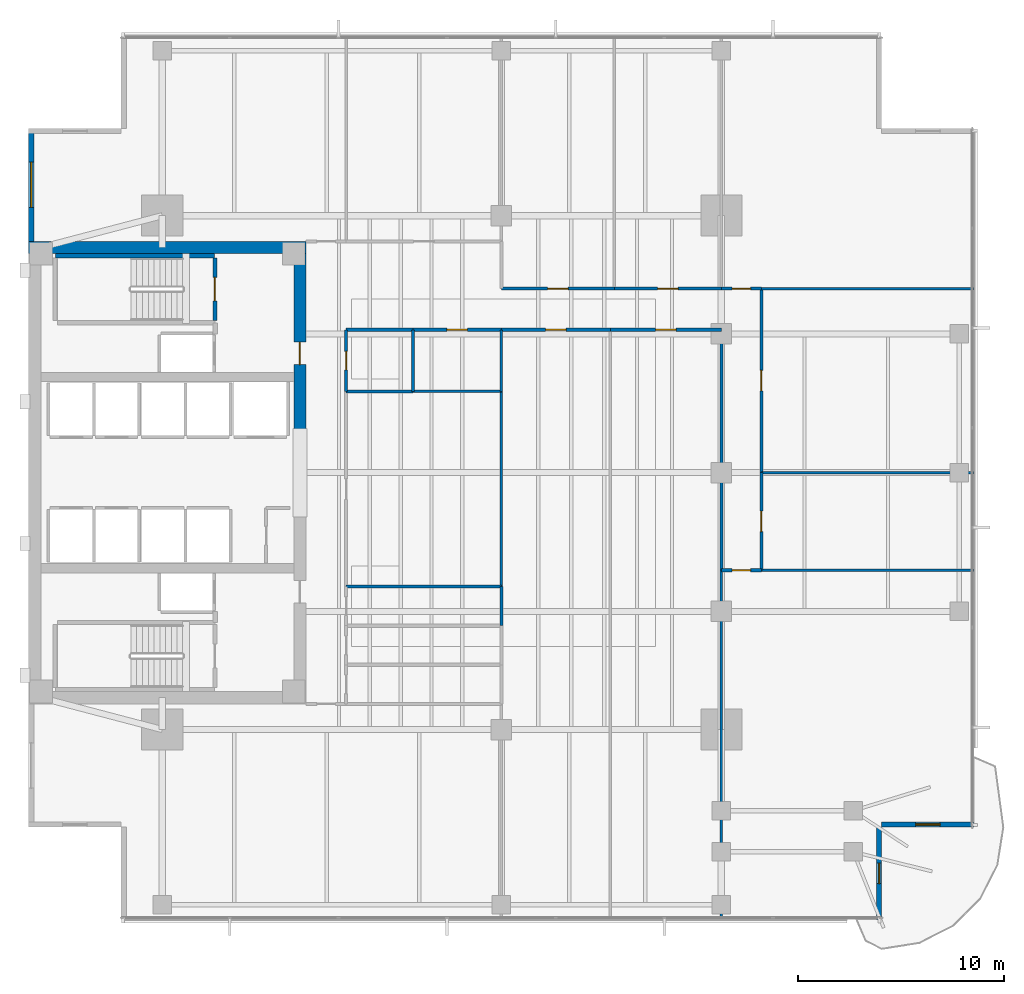
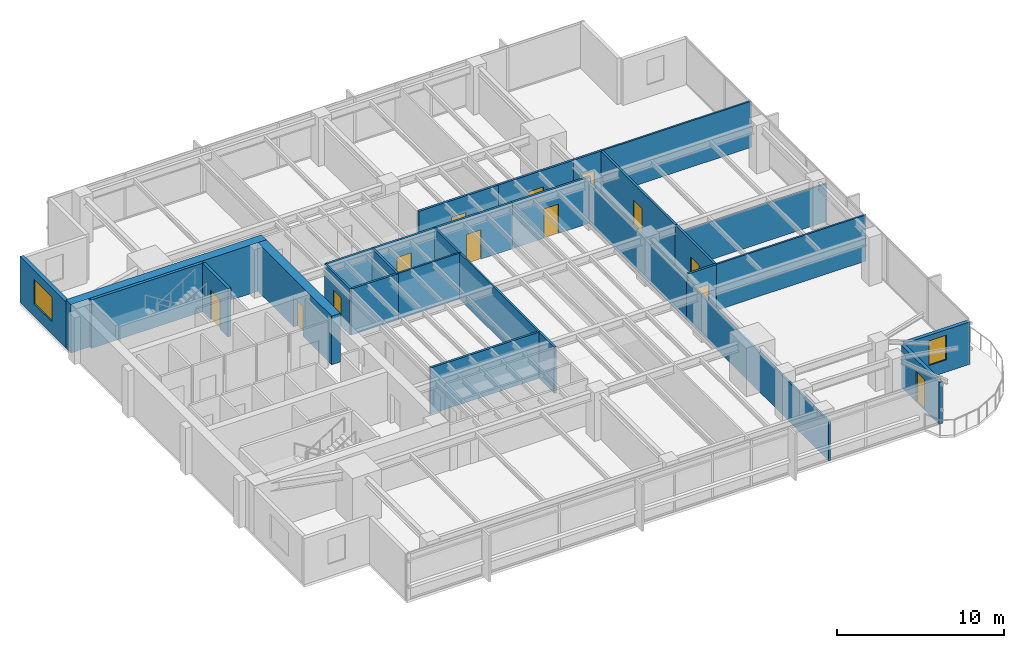
# One storey, part 9 of 14: 30 walls, 13 doors, 2 windows, 15 openings.
"""IFC4 building model written with IfcOpenShell, lengths in metres."""

from ifc_helpers import new_model, si_unit, direction, frame, frame_2d, origin, place, context, subcontext, project, spatial, rectangle, extrude, material, layer, layer_set, type_object, element, fill, save


model = new_model("IFC4")

# Units and contexts
model_context = context("Model", 3, precision=1e-05, world=origin(), true_north=direction((0.0, 1.0)))
body_context = subcontext(model_context, "Body", "Model", "MODEL_VIEW")
ifc_project = project(units=[si_unit("LENGTHUNIT", "METRE"), si_unit("AREAUNIT", "SQUARE_METRE"), si_unit("VOLUMEUNIT", "CUBIC_METRE"), si_unit("PLANEANGLEUNIT", "RADIAN"), si_unit("MASSUNIT", "GRAM", prefix="KILO")], contexts=[model_context])

# Site, building, storey
site_placement = place(None, origin())
site = spatial("IfcSite", under=ifc_project, at=site_placement, CompositionType="ELEMENT")
building_placement = place(site_placement, origin())
building = spatial("IfcBuilding", under=site, at=building_placement, Name="Kinhvarn Gate Tower", CompositionType="ELEMENT")
storey_placement = place(building_placement, frame((0.0, 0.0, 120.0)))
storey = spatial("IfcBuildingStorey", under=building, at=storey_placement, Name="L31", CompositionType="ELEMENT", Elevation=120.0)

# Wall
ifc_material_1 = material(Name="Concrete C60/75", Category="concrete")
ifc_layer_1 = layer(ifc_material_1, 0.60009765625)
ifc_layer_set_1 = layer_set([ifc_layer_1], Name="Concrete C60/75")
wall_type_1 = type_object("IfcWallType", Name="WL-CORE-600", PredefinedType="SHEAR", material=ifc_layer_set_1)
wall_1_placement = place(storey_placement, frame((4.5, 36.199951171875, 0.0), z_axis=(0.0, 0.0, 1.0), x_axis=(1.0, 0.0, 0.0)))
element("IfcWall", 1, at=wall_1_placement, inside=storey, type_object=wall_type_1, Name="Core North Shear Wall L31 600 mm", PredefinedType="SHEAR", context=body_context, shape_type="SweptSolid", body=[
    extrude(rectangle(XDim=13.5, YDim=0.60009765625, at=frame_2d((6.75, 0.0))), origin(), (0.0, 0.0, 1.0), 3.550048828125),
])

# Wall, opening, door
wall_2_placement = place(storey_placement, frame((17.699951171875, 27.050048828125, 0.0), z_axis=(0.0, 0.0, 1.0), x_axis=(0.0, 1.0, 0.0)))
wall_2 = element("IfcWall", 2, at=wall_2_placement, inside=storey, type_object=wall_type_1, Name="Core East-North Shear Pier L31 600 mm", PredefinedType="SHEAR", context=body_context, shape_type="SweptSolid", body=[
    extrude(rectangle(XDim=8.849853515625, YDim=0.60009765625, at=frame_2d((4.4248046875, 0.0))), origin(), (0.0, 0.0, 1.0), 3.550048828125),
])
opening_1_placement = place(wall_2_placement, frame((3.449951171875, 0.0, 0.0)))
opening_1 = element("IfcOpeningElement", 3, at=opening_1_placement, cuts=wall_2, Name="Opening FD-02", PredefinedType="OPENING", context=body_context, shape_type="SweptSolid", body=[
    extrude(rectangle(XDim=1.10009765625, YDim=2.14990234375, at=frame_2d((0.550048828125, 1.074951171875))), frame((0.0, 0.31005859375, 0.0), z_axis=(0.0, -1.0, 0.0), x_axis=(1.0, 0.0, 0.0)), (0.0, 0.0, 1.0), 0.6201171875),
])
ifc_material_2 = material(Name="Anodised aluminium AW-6063", Category="aluminium")
door_type_1 = type_object("IfcDoorType", Name="DR-FD-1100", OperationType="NOTDEFINED", PredefinedType="DOOR", material=ifc_material_2)
door_1_placement = place(opening_1_placement, origin())
door_1 = element("IfcDoor", 4, at=door_1_placement, inside=storey, type_object=door_type_1, Name="Firefighting Lobby Core Door (L31)", OperationType="SINGLE_SWING_LEFT", OverallHeight=2.14990234375, OverallWidth=1.10009765625, PredefinedType="DOOR", context=body_context, shape_type="SweptSolid", body=[
    extrude(rectangle(XDim=1.10009765625, YDim=2.14990234375, at=frame_2d((0.550048828125, 1.074951171875))), frame((0.0, 0.02490234375, 0.0), z_axis=(0.0, -1.0, 0.0), x_axis=(1.0, 0.0, 0.0)), (0.0, 0.0, 1.0), 0.050048828125),
])
fill(opening_1, door_1)

# Wall, opening, window
ifc_material_3 = material(Name="Fired architectural terracotta", Category="masonry")
ifc_layer_2 = layer(ifc_material_3, 0.25)
ifc_layer_set_2 = layer_set([ifc_layer_2], Name="Fired architectural terracotta")
wall_type_2 = type_object("IfcWallType", Name="WL-EXT-250", PredefinedType="SOLIDWALL", material=ifc_layer_set_2)
wall_3_placement = place(storey_placement, frame((4.625, 42.0, 0.0), z_axis=(0.0, 0.0, 1.0), x_axis=(0.0, -1.0, 0.0)))
wall_3 = element("IfcWall", 5, at=wall_3_placement, inside=storey, type_object=wall_type_2, Name="Exterior Solidwall Wall EW-250 (L31 West-North)", PredefinedType="SOLIDWALL", context=body_context, shape_type="SweptSolid", body=[
    extrude(rectangle(XDim=5.5, YDim=0.25, at=frame_2d((2.75, 0.0))), origin(), (0.0, 0.0, 1.0), 3.3701171875),
])
opening_2_placement = place(wall_3_placement, frame((1.64990234375, 0.0, 0.89990234375)))
opening_2 = element("IfcOpeningElement", 6, at=opening_2_placement, cuts=wall_3, Name="Opening WN-01", PredefinedType="OPENING", context=body_context, shape_type="SweptSolid", body=[
    extrude(rectangle(XDim=2.199951171875, YDim=1.800048828125, at=frame_2d((1.10009765625, 0.89990234375))), frame((0.0, 0.135009765625, 0.0), z_axis=(0.0, -1.0, 0.0), x_axis=(1.0, 0.0, 0.0)), (0.0, 0.0, 1.0), 0.27001953125),
])
ifc_material_4 = material(Name="Clear low-e double glazing", Category="glass")
window_type_1 = type_object("IfcWindowType", Name="WIN-RIB-2200", PartitioningType="SINGLE_PANEL", PredefinedType="WINDOW", material=ifc_material_4)
window_1_placement = place(opening_2_placement, origin())
window_1 = element("IfcWindow", 7, at=window_1_placement, inside=storey, type_object=window_type_1, Name="West Flank Double-Glazed Ribbon Window 2200x1800 mm (L31)", OverallHeight=1.800048828125, OverallWidth=2.199951171875, PartitioningType="SINGLE_PANEL", PredefinedType="WINDOW", context=body_context, shape_type="SweptSolid", body=[
    extrude(rectangle(XDim=2.199951171875, YDim=1.800048828125, at=frame_2d((1.10009765625, 0.89990234375))), frame((0.0, 0.030029296875, 0.0), z_axis=(0.0, -1.0, 0.0), x_axis=(1.0, 0.0, 0.0)), (0.0, 0.0, 1.0), 0.06005859375),
])
fill(opening_2, window_1)

# Wall, opening, door
wall_4_placement = place(storey_placement, frame((45.875, 3.5, 0.0), z_axis=(0.0, 0.0, 1.0), x_axis=(0.0, 1.0, 0.0)))
wall_4 = element("IfcWall", 8, at=wall_4_placement, inside=storey, type_object=wall_type_2, Name="Exterior Solidwall Wall EW-250 (L31 SE-Notch-Door)", PredefinedType="SOLIDWALL", context=body_context, shape_type="SweptSolid", body=[
    extrude(rectangle(XDim=4.5, YDim=0.25, at=frame_2d((2.25, 0.0))), origin(), (0.0, 0.0, 1.0), 3.070068359375),
])
opening_3_placement = place(wall_4_placement, frame((1.75, 0.0, 0.0)))
opening_3 = element("IfcOpeningElement", 9, at=opening_3_placement, cuts=wall_4, Name="Opening BD-01", PredefinedType="OPENING", context=body_context, shape_type="SweptSolid", body=[
    extrude(rectangle(XDim=1.0, YDim=2.199951171875, at=frame_2d((0.5, 1.10009765625))), frame((0.0, 0.135009765625, 0.0), z_axis=(0.0, -1.0, 0.0), x_axis=(1.0, 0.0, 0.0)), (0.0, 0.0, 1.0), 0.27001953125),
])
door_type_2 = type_object("IfcDoorType", Name="DR-BAL-1000", OperationType="NOTDEFINED", PredefinedType="DOOR", material=ifc_material_4)
door_2_placement = place(opening_3_placement, frame((1.0, 0.0, 0.0), z_axis=(0.0, 0.0, 1.0), x_axis=(-1.0, 0.0, 0.0)))
door_2 = element("IfcDoor", 10, at=door_2_placement, inside=storey, type_object=door_type_2, Name="S-Carve Balcony Door BD-01 (L31)", OperationType="SINGLE_SWING_LEFT", OverallHeight=2.199951171875, OverallWidth=1.0, PredefinedType="DOOR", context=body_context, shape_type="SweptSolid", body=[
    extrude(rectangle(XDim=1.0, YDim=2.199951171875, at=frame_2d((0.5, 1.10009765625))), frame((0.0, 0.02490234375, 0.0), z_axis=(0.0, -1.0, 0.0), x_axis=(1.0, 0.0, 0.0)), (0.0, 0.0, 1.0), 0.050048828125),
])
fill(opening_3, door_2)

# Wall, opening, window
wall_5_placement = place(storey_placement, frame((46.0, 8.125, 0.0), z_axis=(0.0, 0.0, 1.0), x_axis=(1.0, 0.0, 0.0)))
wall_5 = element("IfcWall", 11, at=wall_5_placement, inside=storey, type_object=wall_type_2, Name="Exterior Solidwall Wall EW-250 (L31 SE-Notch-Win)", PredefinedType="SOLIDWALL", context=body_context, shape_type="SweptSolid", body=[
    extrude(rectangle(XDim=4.5, YDim=0.25, at=frame_2d((2.25, 0.0))), origin(), (0.0, 0.0, 1.0), 3.10009765625),
])
opening_4_placement = place(wall_5_placement, frame((1.64990234375, 0.0, 0.89990234375)))
opening_4 = element("IfcOpeningElement", 12, at=opening_4_placement, cuts=wall_5, Name="Opening WN-02", PredefinedType="OPENING", context=body_context, shape_type="SweptSolid", body=[
    extrude(rectangle(XDim=1.199951171875, YDim=1.800048828125, at=frame_2d((0.60009765625, 0.89990234375))), frame((0.0, 0.135009765625, 0.0), z_axis=(0.0, -1.0, 0.0), x_axis=(1.0, 0.0, 0.0)), (0.0, 0.0, 1.0), 0.27001953125),
])
window_type_2 = type_object("IfcWindowType", Name="WIN-NTC-1200", PartitioningType="SINGLE_PANEL", PredefinedType="WINDOW", material=ifc_material_4)
window_2_placement = place(opening_4_placement, origin())
window_2 = element("IfcWindow", 13, at=window_2_placement, inside=storey, type_object=window_type_2, Name="Recessed Corner Notch Punched Window 1200x1800 mm (L31)", OverallHeight=1.800048828125, OverallWidth=1.199951171875, PartitioningType="SINGLE_PANEL", PredefinedType="WINDOW", context=body_context, shape_type="SweptSolid", body=[
    extrude(rectangle(XDim=1.199951171875, YDim=1.800048828125, at=frame_2d((0.60009765625, 0.89990234375))), frame((0.0, 0.030029296875, 0.0), z_axis=(0.0, -1.0, 0.0), x_axis=(1.0, 0.0, 0.0)), (0.0, 0.0, 1.0), 0.06005859375),
])
fill(opening_4, window_2)

# Walls
ifc_material_5 = material(Name="Gypsum acoustic partition board")
ifc_layer_3 = layer(ifc_material_5, 0.14990234375)
ifc_layer_set_3 = layer_set([ifc_layer_3], Name="Gypsum acoustic partition board")
wall_type_3 = type_object("IfcWallType", Name="WL-PLM-150", PredefinedType="PLUMBINGWALL", material=ifc_layer_set_3)
wall_6_placement = place(storey_placement, frame((23.199951171875, 29.199951171875, 0.0), z_axis=(0.0, 0.0, 1.0), x_axis=(0.0, 1.0, 0.0)))
element("IfcWall", 14, at=wall_6_placement, inside=storey, type_object=wall_type_3, Name="Interior Partition PLW-150 (L31)", PredefinedType="PLUMBINGWALL", context=body_context, shape_type="SweptSolid", body=[
    extrude(rectangle(XDim=3.0, YDim=0.14990234375, at=frame_2d((1.5, 0.0))), origin(), (0.0, 0.0, 1.0), 3.3701171875),
])
wall_7_placement = place(storey_placement, frame((19.949951171875, 29.199951171875, 0.0), z_axis=(0.0, 0.0, 1.0), x_axis=(1.0, 0.0, 0.0)))
element("IfcWall", 15, at=wall_7_placement, inside=storey, type_object=wall_type_3, Name="Interior Partition PLW-150 (L31)", PredefinedType="PLUMBINGWALL", context=body_context, shape_type="SweptSolid", body=[
    extrude(rectangle(XDim=3.25, YDim=0.14990234375, at=frame_2d((1.625, 0.0))), origin(), (0.0, 0.0, 1.0), 3.3701171875),
])
wall_8_placement = place(storey_placement, frame((19.949951171875, 19.699951171875, 0.0), z_axis=(0.0, 0.0, 1.0), x_axis=(1.0, 0.0, 0.0)))
element("IfcWall", 16, at=wall_8_placement, inside=storey, type_object=wall_type_3, Name="Interior Partition PLW-150 (L31)", PredefinedType="PLUMBINGWALL", context=body_context, shape_type="SweptSolid", body=[
    extrude(rectangle(XDim=7.550048828125, YDim=0.14990234375, at=frame_2d((3.77490234375, 0.0))), origin(), (0.0, 0.0, 1.0), 3.3701171875),
])
wall_9_placement = place(storey_placement, frame((27.5, 17.800048828125, 0.0), z_axis=(0.0, 0.0, 1.0), x_axis=(0.0, 1.0, 0.0)))
element("IfcWall", 17, at=wall_9_placement, inside=storey, type_object=wall_type_3, Name="Interior Partition PLW-150 (L31)", PredefinedType="PLUMBINGWALL", context=body_context, shape_type="SweptSolid", body=[
    extrude(rectangle(XDim=1.89990234375, YDim=0.14990234375, at=frame_2d((0.949951171875, 0.0))), origin(), (0.0, 0.0, 1.0), 3.3701171875),
])

# Wall, opening, door
ifc_layer_4 = layer(ifc_material_5, 0.14990234375)
ifc_layer_set_4 = layer_set([ifc_layer_4], Name="Gypsum acoustic partition board")
wall_type_4 = type_object("IfcWallType", Name="WL-PLM-150F", PredefinedType="PLUMBINGWALL", material=ifc_layer_set_4)
wall_10_placement = place(storey_placement, frame((19.949951171875, 29.199951171875, 0.0), z_axis=(0.0, 0.0, 1.0), x_axis=(0.0, 1.0, 0.0)))
wall_10 = element("IfcWall", 18, at=wall_10_placement, inside=storey, type_object=wall_type_4, Name="Interior Partition PLW-150F (L31)", PredefinedType="PLUMBINGWALL", context=body_context, shape_type="SweptSolid", body=[
    extrude(rectangle(XDim=3.0, YDim=0.14990234375, at=frame_2d((1.5, 0.0))), origin(), (0.0, 0.0, 1.0), 3.3701171875),
])
opening_5_placement = place(wall_10_placement, frame((1.050048828125, 0.0, 0.0)))
opening_5 = element("IfcOpeningElement", 19, at=opening_5_placement, cuts=wall_10, Name="Opening FD-04", PredefinedType="OPENING", context=body_context, shape_type="SweptSolid", body=[
    extrude(rectangle(XDim=0.89990234375, YDim=2.10009765625, at=frame_2d((0.449951171875, 1.050048828125))), frame((0.0, 0.0849609375, 0.0), z_axis=(0.0, -1.0, 0.0), x_axis=(1.0, 0.0, 0.0)), (0.0, 0.0, 1.0), 0.169921875),
])
door_type_3 = type_object("IfcDoorType", Name="DR-FD-900", OperationType="NOTDEFINED", PredefinedType="DOOR", material=ifc_material_2)
door_3_placement = place(opening_5_placement, origin())
door_3 = element("IfcDoor", 20, at=door_3_placement, inside=storey, type_object=door_type_3, Name="Rated Riser & Service Closet Fire Door 900x2100 mm (L31)", OperationType="SINGLE_SWING_RIGHT", OverallHeight=2.10009765625, OverallWidth=0.89990234375, PredefinedType="DOOR", context=body_context, shape_type="SweptSolid", body=[
    extrude(rectangle(XDim=0.89990234375, YDim=2.10009765625, at=frame_2d((0.449951171875, 1.050048828125))), frame((0.0, 0.02490234375, 0.0), z_axis=(0.0, -1.0, 0.0), x_axis=(1.0, 0.0, 0.0)), (0.0, 0.0, 1.0), 0.050048828125),
])
fill(opening_5, door_3)

# Walls
wall_11_placement = place(storey_placement, frame((19.949951171875, 32.199951171875, 0.0), z_axis=(0.0, 0.0, 1.0), x_axis=(1.0, 0.0, 0.0)))
element("IfcWall", 21, at=wall_11_placement, inside=storey, type_object=wall_type_4, Name="Interior Partition PLW-150F (L31)", PredefinedType="PLUMBINGWALL", context=body_context, shape_type="SweptSolid", body=[
    extrude(rectangle(XDim=3.25, YDim=0.14990234375, at=frame_2d((1.625, 0.0))), origin(), (0.0, 0.0, 1.0), 3.3701171875),
])
ifc_layer_5 = layer(ifc_material_5, 0.1201171875)
ifc_layer_set_5 = layer_set([ifc_layer_5], Name="Gypsum acoustic partition board")
wall_type_5 = type_object("IfcWallType", Name="WL-PRT-120", PredefinedType="PARTITIONING", material=ifc_layer_set_5)
wall_12_placement = place(storey_placement, frame((23.199951171875, 29.199951171875, 0.0), z_axis=(0.0, 0.0, 1.0), x_axis=(1.0, 0.0, 0.0)))
element("IfcWall", 22, at=wall_12_placement, inside=storey, type_object=wall_type_5, Name="Interior Partition PW-120 (L31)", PredefinedType="PARTITIONING", context=body_context, shape_type="SweptSolid", body=[
    extrude(rectangle(XDim=4.300048828125, YDim=0.1201171875, at=frame_2d((2.14990234375, 0.0))), origin(), (0.0, 0.0, 1.0), 3.3701171875),
])
wall_13_placement = place(storey_placement, frame((27.5, 29.199951171875, 0.0), z_axis=(0.0, 0.0, 1.0), x_axis=(0.0, 1.0, 0.0)))
element("IfcWall", 23, at=wall_13_placement, inside=storey, type_object=wall_type_5, Name="Interior Partition PW-120 (L31)", PredefinedType="PARTITIONING", context=body_context, shape_type="SweptSolid", body=[
    extrude(rectangle(XDim=3.0, YDim=0.1201171875, at=frame_2d((1.5, 0.0))), origin(), (0.0, 0.0, 1.0), 3.3701171875),
])
wall_14_placement = place(storey_placement, frame((27.5, 19.699951171875, 0.0), z_axis=(0.0, 0.0, 1.0), x_axis=(0.0, 1.0, 0.0)))
element("IfcWall", 24, at=wall_14_placement, inside=storey, type_object=wall_type_5, Name="Interior Partition PW-120 (L31)", PredefinedType="PARTITIONING", context=body_context, shape_type="SweptSolid", body=[
    extrude(rectangle(XDim=9.5, YDim=0.1201171875, at=frame_2d((4.75, 0.0))), origin(), (0.0, 0.0, 1.0), 3.3701171875),
])
wall_15_placement = place(storey_placement, frame((38.199951171875, 3.510009765625, 0.0), z_axis=(0.0, 0.0, 1.0), x_axis=(0.0, 1.0, 0.0)))
element("IfcWall", 25, at=wall_15_placement, inside=storey, type_object=wall_type_5, Name="Interior Partition PW-120 (L31)", PredefinedType="PARTITIONING", context=body_context, shape_type="SweptSolid", body=[
    extrude(rectangle(XDim=16.989990234375, YDim=0.1201171875, at=frame_2d((8.4951171875, 0.0))), origin(), (0.0, 0.0, 1.0), 2.8701171875),
])
wall_16_placement = place(storey_placement, frame((40.14990234375, 20.5, 0.0), z_axis=(0.0, 0.0, 1.0), x_axis=(1.0, 0.0, 0.0)))
element("IfcWall", 26, at=wall_16_placement, inside=storey, type_object=wall_type_5, Name="Interior Partition PW-120 (L31)", PredefinedType="PARTITIONING", context=body_context, shape_type="SweptSolid", body=[
    extrude(rectangle(XDim=10.340087890625, YDim=0.1201171875, at=frame_2d((5.169921875, 0.0))), origin(), (0.0, 0.0, 1.0), 3.3701171875),
])
wall_17_placement = place(storey_placement, frame((40.14990234375, 25.25, 0.0), z_axis=(0.0, 0.0, 1.0), x_axis=(1.0, 0.0, 0.0)))
element("IfcWall", 27, at=wall_17_placement, inside=storey, type_object=wall_type_5, Name="Interior Partition PW-120 (L31)", PredefinedType="PARTITIONING", context=body_context, shape_type="SweptSolid", body=[
    extrude(rectangle(XDim=10.340087890625, YDim=0.1201171875, at=frame_2d((5.169921875, 0.0))), origin(), (0.0, 0.0, 1.0), 2.77001953125),
])
wall_18_placement = place(storey_placement, frame((40.14990234375, 34.199951171875, 0.0), z_axis=(0.0, 0.0, 1.0), x_axis=(1.0, 0.0, 0.0)))
element("IfcWall", 28, at=wall_18_placement, inside=storey, type_object=wall_type_5, Name="Interior Partition PW-120 (L31)", PredefinedType="PARTITIONING", context=body_context, shape_type="SweptSolid", body=[
    extrude(rectangle(XDim=10.340087890625, YDim=0.1201171875, at=frame_2d((5.169921875, 0.0))), origin(), (0.0, 0.0, 1.0), 3.3701171875),
])

# Wall, opening, door
ifc_layer_6 = layer(ifc_material_5, 0.14990234375)
ifc_layer_set_6 = layer_set([ifc_layer_6], Name="Gypsum acoustic partition board")
wall_type_6 = type_object("IfcWallType", Name="WL-PRT-150F", PredefinedType="PARTITIONING", material=ifc_layer_set_6)
wall_19_placement = place(storey_placement, frame((23.199951171875, 32.199951171875, 0.0), z_axis=(0.0, 0.0, 1.0), x_axis=(1.0, 0.0, 0.0)))
wall_19 = element("IfcWall", 29, at=wall_19_placement, inside=storey, type_object=wall_type_6, Name="Interior Partition PW-150F (L31)", PredefinedType="PARTITIONING", context=body_context, shape_type="SweptSolid", body=[
    extrude(rectangle(XDim=4.300048828125, YDim=0.14990234375, at=frame_2d((2.14990234375, 0.0))), origin(), (0.0, 0.0, 1.0), 3.3701171875),
])
opening_6_placement = place(wall_19_placement, frame((1.64990234375, 0.0, 0.0)))
opening_6 = element("IfcOpeningElement", 30, at=opening_6_placement, cuts=wall_19, Name="Opening ID-02", PredefinedType="OPENING", context=body_context, shape_type="SweptSolid", body=[
    extrude(rectangle(XDim=1.0, YDim=2.14990234375, at=frame_2d((0.5, 1.074951171875))), frame((0.0, 0.0849609375, 0.0), z_axis=(0.0, -1.0, 0.0), x_axis=(1.0, 0.0, 0.0)), (0.0, 0.0, 1.0), 0.169921875),
])
door_type_4 = type_object("IfcDoorType", Name="DR-INT-1000", OperationType="NOTDEFINED", PredefinedType="DOOR", material=ifc_material_2)
door_4_placement = place(opening_6_placement, origin())
door_4 = element("IfcDoor", 31, at=door_4_placement, inside=storey, type_object=door_type_4, Name="Standard Office & Meeting Room Door 1000x2150 mm (L31)", OperationType="SINGLE_SWING_LEFT", OverallHeight=2.14990234375, OverallWidth=1.0, PredefinedType="DOOR", context=body_context, shape_type="SweptSolid", body=[
    extrude(rectangle(XDim=1.0, YDim=2.14990234375, at=frame_2d((0.5, 1.074951171875))), frame((0.0, 0.02490234375, 0.0), z_axis=(0.0, -1.0, 0.0), x_axis=(1.0, 0.0, 0.0)), (0.0, 0.0, 1.0), 0.050048828125),
])
fill(opening_6, door_4)

wall_20_placement = place(storey_placement, frame((27.5, 32.199951171875, 0.0), z_axis=(0.0, 0.0, 1.0), x_axis=(1.0, 0.0, 0.0)))
wall_20 = element("IfcWall", 32, at=wall_20_placement, inside=storey, type_object=wall_type_6, Name="Interior Partition PW-150F (L31)", PredefinedType="PARTITIONING", context=body_context, shape_type="SweptSolid", body=[
    extrude(rectangle(XDim=5.300048828125, YDim=0.14990234375, at=frame_2d((2.64990234375, 0.0))), origin(), (0.0, 0.0, 1.0), 3.3701171875),
])
opening_7_placement = place(wall_20_placement, frame((2.14990234375, 0.0, 0.0)))
opening_7 = element("IfcOpeningElement", 33, at=opening_7_placement, cuts=wall_20, Name="Opening ID-02", PredefinedType="OPENING", context=body_context, shape_type="SweptSolid", body=[
    extrude(rectangle(XDim=1.0, YDim=2.14990234375, at=frame_2d((0.5, 1.074951171875))), frame((0.0, 0.0849609375, 0.0), z_axis=(0.0, -1.0, 0.0), x_axis=(1.0, 0.0, 0.0)), (0.0, 0.0, 1.0), 0.169921875),
])
door_5_placement = place(opening_7_placement, origin())
door_5 = element("IfcDoor", 34, at=door_5_placement, inside=storey, type_object=door_type_4, Name="Standard Office & Meeting Room Door 1000x2150 mm (L31)", OperationType="SINGLE_SWING_RIGHT", OverallHeight=2.14990234375, OverallWidth=1.0, PredefinedType="DOOR", context=body_context, shape_type="SweptSolid", body=[
    extrude(rectangle(XDim=1.0, YDim=2.14990234375, at=frame_2d((0.5, 1.074951171875))), frame((0.0, 0.02490234375, 0.0), z_axis=(0.0, -1.0, 0.0), x_axis=(1.0, 0.0, 0.0)), (0.0, 0.0, 1.0), 0.050048828125),
])
fill(opening_7, door_5)

wall_21_placement = place(storey_placement, frame((32.800048828125, 32.199951171875, 0.0), z_axis=(0.0, 0.0, 1.0), x_axis=(1.0, 0.0, 0.0)))
wall_21 = element("IfcWall", 35, at=wall_21_placement, inside=storey, type_object=wall_type_6, Name="Interior Partition PW-150F (L31)", PredefinedType="PARTITIONING", context=body_context, shape_type="SweptSolid", body=[
    extrude(rectangle(XDim=5.39990234375, YDim=0.14990234375, at=frame_2d((2.699951171875, 0.0))), origin(), (0.0, 0.0, 1.0), 3.3701171875),
])
opening_8_placement = place(wall_21_placement, frame((2.199951171875, 0.0, 0.0)))
opening_8 = element("IfcOpeningElement", 36, at=opening_8_placement, cuts=wall_21, Name="Opening ID-02", PredefinedType="OPENING", context=body_context, shape_type="SweptSolid", body=[
    extrude(rectangle(XDim=1.0, YDim=2.14990234375, at=frame_2d((0.5, 1.074951171875))), frame((0.0, 0.0849609375, 0.0), z_axis=(0.0, -1.0, 0.0), x_axis=(1.0, 0.0, 0.0)), (0.0, 0.0, 1.0), 0.169921875),
])
door_6_placement = place(opening_8_placement, origin())
door_6 = element("IfcDoor", 37, at=door_6_placement, inside=storey, type_object=door_type_4, Name="Standard Office & Meeting Room Door 1000x2150 mm (L31)", OperationType="SINGLE_SWING_LEFT", OverallHeight=2.14990234375, OverallWidth=1.0, PredefinedType="DOOR", context=body_context, shape_type="SweptSolid", body=[
    extrude(rectangle(XDim=1.0, YDim=2.14990234375, at=frame_2d((0.5, 1.074951171875))), frame((0.0, 0.02490234375, 0.0), z_axis=(0.0, -1.0, 0.0), x_axis=(1.0, 0.0, 0.0)), (0.0, 0.0, 1.0), 0.050048828125),
])
fill(opening_8, door_6)

wall_22_placement = place(storey_placement, frame((27.5, 34.199951171875, 0.0), z_axis=(0.0, 0.0, 1.0), x_axis=(1.0, 0.0, 0.0)))
wall_22 = element("IfcWall", 38, at=wall_22_placement, inside=storey, type_object=wall_type_6, Name="Interior Partition PW-150F (L31)", PredefinedType="PARTITIONING", context=body_context, shape_type="SweptSolid", body=[
    extrude(rectangle(XDim=5.5, YDim=0.14990234375, at=frame_2d((2.75, 0.0))), origin(), (0.0, 0.0, 1.0), 3.3701171875),
])
opening_9_placement = place(wall_22_placement, frame((2.25, 0.0, 0.0)))
opening_9 = element("IfcOpeningElement", 39, at=opening_9_placement, cuts=wall_22, Name="Opening ID-02", PredefinedType="OPENING", context=body_context, shape_type="SweptSolid", body=[
    extrude(rectangle(XDim=1.0, YDim=2.14990234375, at=frame_2d((0.5, 1.074951171875))), frame((0.0, 0.0849609375, 0.0), z_axis=(0.0, -1.0, 0.0), x_axis=(1.0, 0.0, 0.0)), (0.0, 0.0, 1.0), 0.169921875),
])
door_7_placement = place(opening_9_placement, origin())
door_7 = element("IfcDoor", 40, at=door_7_placement, inside=storey, type_object=door_type_4, Name="Standard Office & Meeting Room Door 1000x2150 mm (L31)", OperationType="SINGLE_SWING_RIGHT", OverallHeight=2.14990234375, OverallWidth=1.0, PredefinedType="DOOR", context=body_context, shape_type="SweptSolid", body=[
    extrude(rectangle(XDim=1.0, YDim=2.14990234375, at=frame_2d((0.5, 1.074951171875))), frame((0.0, 0.02490234375, 0.0), z_axis=(0.0, -1.0, 0.0), x_axis=(1.0, 0.0, 0.0)), (0.0, 0.0, 1.0), 0.050048828125),
])
fill(opening_9, door_7)

wall_23_placement = place(storey_placement, frame((33.0, 34.199951171875, 0.0), z_axis=(0.0, 0.0, 1.0), x_axis=(1.0, 0.0, 0.0)))
wall_23 = element("IfcWall", 41, at=wall_23_placement, inside=storey, type_object=wall_type_6, Name="Interior Partition PW-150F (L31)", PredefinedType="PARTITIONING", context=body_context, shape_type="SweptSolid", body=[
    extrude(rectangle(XDim=5.199951171875, YDim=0.14990234375, at=frame_2d((2.60009765625, 0.0))), origin(), (0.0, 0.0, 1.0), 3.3701171875),
])
opening_10_placement = place(wall_23_placement, frame((2.10009765625, 0.0, 0.0)))
opening_10 = element("IfcOpeningElement", 42, at=opening_10_placement, cuts=wall_23, Name="Opening ID-02", PredefinedType="OPENING", context=body_context, shape_type="SweptSolid", body=[
    extrude(rectangle(XDim=1.0, YDim=2.14990234375, at=frame_2d((0.5, 1.074951171875))), frame((0.0, 0.0849609375, 0.0), z_axis=(0.0, -1.0, 0.0), x_axis=(1.0, 0.0, 0.0)), (0.0, 0.0, 1.0), 0.169921875),
])
door_8_placement = place(opening_10_placement, origin())
door_8 = element("IfcDoor", 43, at=door_8_placement, inside=storey, type_object=door_type_4, Name="Standard Office & Meeting Room Door 1000x2150 mm (L31)", OperationType="SINGLE_SWING_LEFT", OverallHeight=2.14990234375, OverallWidth=1.0, PredefinedType="DOOR", context=body_context, shape_type="SweptSolid", body=[
    extrude(rectangle(XDim=1.0, YDim=2.14990234375, at=frame_2d((0.5, 1.074951171875))), frame((0.0, 0.02490234375, 0.0), z_axis=(0.0, -1.0, 0.0), x_axis=(1.0, 0.0, 0.0)), (0.0, 0.0, 1.0), 0.050048828125),
])
fill(opening_10, door_8)

# Wall
wall_24_placement = place(storey_placement, frame((38.199951171875, 20.5, 0.0), z_axis=(0.0, 0.0, 1.0), x_axis=(0.0, 1.0, 0.0)))
element("IfcWall", 44, at=wall_24_placement, inside=storey, type_object=wall_type_6, Name="Interior Partition PW-150F (L31)", PredefinedType="PARTITIONING", context=body_context, shape_type="SweptSolid", body=[
    extrude(rectangle(XDim=11.699951171875, YDim=0.14990234375, at=frame_2d((5.85009765625, 0.0))), origin(), (0.0, 0.0, 1.0), 2.8701171875),
])

# Wall, opening, door
wall_25_placement = place(storey_placement, frame((38.199951171875, 20.5, 0.0), z_axis=(0.0, 0.0, 1.0), x_axis=(1.0, 0.0, 0.0)))
wall_25 = element("IfcWall", 45, at=wall_25_placement, inside=storey, type_object=wall_type_6, Name="Interior Partition PW-150F (L31)", PredefinedType="PARTITIONING", context=body_context, shape_type="SweptSolid", body=[
    extrude(rectangle(XDim=1.949951171875, YDim=0.14990234375, at=frame_2d((0.97509765625, 0.0))), origin(), (0.0, 0.0, 1.0), 3.3701171875),
])
opening_11_placement = place(wall_25_placement, frame((0.52490234375, 0.0, 0.0)))
opening_11 = element("IfcOpeningElement", 46, at=opening_11_placement, cuts=wall_25, Name="Opening ID-03", PredefinedType="OPENING", context=body_context, shape_type="SweptSolid", body=[
    extrude(rectangle(XDim=0.89990234375, YDim=2.10009765625, at=frame_2d((0.449951171875, 1.050048828125))), frame((0.0, 0.0849609375, 0.0), z_axis=(0.0, -1.0, 0.0), x_axis=(1.0, 0.0, 0.0)), (0.0, 0.0, 1.0), 0.169921875),
])
door_type_5 = type_object("IfcDoorType", Name="DR-INT-900", OperationType="NOTDEFINED", PredefinedType="DOOR", material=ifc_material_2)
door_9_placement = place(opening_11_placement, origin())
door_9 = element("IfcDoor", 47, at=door_9_placement, inside=storey, type_object=door_type_5, Name="Cellular Office & Restroom Door 900x2100 mm (L31)", OperationType="SINGLE_SWING_LEFT", OverallHeight=2.10009765625, OverallWidth=0.89990234375, PredefinedType="DOOR", context=body_context, shape_type="SweptSolid", body=[
    extrude(rectangle(XDim=0.89990234375, YDim=2.10009765625, at=frame_2d((0.449951171875, 1.050048828125))), frame((0.0, 0.02490234375, 0.0), z_axis=(0.0, -1.0, 0.0), x_axis=(1.0, 0.0, 0.0)), (0.0, 0.0, 1.0), 0.050048828125),
])
fill(opening_11, door_9)

wall_26_placement = place(storey_placement, frame((40.14990234375, 20.5, 0.0), z_axis=(0.0, 0.0, 1.0), x_axis=(0.0, 1.0, 0.0)))
wall_26 = element("IfcWall", 48, at=wall_26_placement, inside=storey, type_object=wall_type_6, Name="Interior Partition PW-150F (L31)", PredefinedType="PARTITIONING", context=body_context, shape_type="SweptSolid", body=[
    extrude(rectangle(XDim=4.75, YDim=0.14990234375, at=frame_2d((2.375, 0.0))), origin(), (0.0, 0.0, 1.0), 3.3701171875),
])
opening_12_placement = place(wall_26_placement, frame((1.875, 0.0, 0.0)))
opening_12 = element("IfcOpeningElement", 49, at=opening_12_placement, cuts=wall_26, Name="Opening ID-02", PredefinedType="OPENING", context=body_context, shape_type="SweptSolid", body=[
    extrude(rectangle(XDim=1.0, YDim=2.14990234375, at=frame_2d((0.5, 1.074951171875))), frame((0.0, 0.0849609375, 0.0), z_axis=(0.0, -1.0, 0.0), x_axis=(1.0, 0.0, 0.0)), (0.0, 0.0, 1.0), 0.169921875),
])
door_10_placement = place(opening_12_placement, origin())
door_10 = element("IfcDoor", 50, at=door_10_placement, inside=storey, type_object=door_type_4, Name="Standard Office & Meeting Room Door 1000x2150 mm (L31)", OperationType="SINGLE_SWING_RIGHT", OverallHeight=2.14990234375, OverallWidth=1.0, PredefinedType="DOOR", context=body_context, shape_type="SweptSolid", body=[
    extrude(rectangle(XDim=1.0, YDim=2.14990234375, at=frame_2d((0.5, 1.074951171875))), frame((0.0, 0.02490234375, 0.0), z_axis=(0.0, -1.0, 0.0), x_axis=(1.0, 0.0, 0.0)), (0.0, 0.0, 1.0), 0.050048828125),
])
fill(opening_12, door_10)

wall_27_placement = place(storey_placement, frame((40.14990234375, 25.25, 0.0), z_axis=(0.0, 0.0, 1.0), x_axis=(0.0, 1.0, 0.0)))
wall_27 = element("IfcWall", 51, at=wall_27_placement, inside=storey, type_object=wall_type_6, Name="Interior Partition PW-150F (L31)", PredefinedType="PARTITIONING", context=body_context, shape_type="SweptSolid", body=[
    extrude(rectangle(XDim=8.949951171875, YDim=0.14990234375, at=frame_2d((4.47509765625, 0.0))), origin(), (0.0, 0.0, 1.0), 3.3701171875),
])
opening_13_placement = place(wall_27_placement, frame((3.97509765625, 0.0, 0.0)))
opening_13 = element("IfcOpeningElement", 52, at=opening_13_placement, cuts=wall_27, Name="Opening ID-02", PredefinedType="OPENING", context=body_context, shape_type="SweptSolid", body=[
    extrude(rectangle(XDim=1.0, YDim=2.14990234375, at=frame_2d((0.5, 1.074951171875))), frame((0.0, 0.0849609375, 0.0), z_axis=(0.0, -1.0, 0.0), x_axis=(1.0, 0.0, 0.0)), (0.0, 0.0, 1.0), 0.169921875),
])
door_11_placement = place(opening_13_placement, origin())
door_11 = element("IfcDoor", 53, at=door_11_placement, inside=storey, type_object=door_type_4, Name="Standard Office & Meeting Room Door 1000x2150 mm (L31)", OperationType="SINGLE_SWING_LEFT", OverallHeight=2.14990234375, OverallWidth=1.0, PredefinedType="DOOR", context=body_context, shape_type="SweptSolid", body=[
    extrude(rectangle(XDim=1.0, YDim=2.14990234375, at=frame_2d((0.5, 1.074951171875))), frame((0.0, 0.02490234375, 0.0), z_axis=(0.0, -1.0, 0.0), x_axis=(1.0, 0.0, 0.0)), (0.0, 0.0, 1.0), 0.050048828125),
])
fill(opening_13, door_11)

wall_28_placement = place(storey_placement, frame((38.199951171875, 34.199951171875, 0.0), z_axis=(0.0, 0.0, 1.0), x_axis=(1.0, 0.0, 0.0)))
wall_28 = element("IfcWall", 54, at=wall_28_placement, inside=storey, type_object=wall_type_6, Name="Interior Partition PW-150F (L31)", PredefinedType="PARTITIONING", context=body_context, shape_type="SweptSolid", body=[
    extrude(rectangle(XDim=1.949951171875, YDim=0.14990234375, at=frame_2d((0.97509765625, 0.0))), origin(), (0.0, 0.0, 1.0), 3.3701171875),
])
opening_14_placement = place(wall_28_placement, frame((0.52490234375, 0.0, 0.0)))
opening_14 = element("IfcOpeningElement", 55, at=opening_14_placement, cuts=wall_28, Name="Opening ID-03", PredefinedType="OPENING", context=body_context, shape_type="SweptSolid", body=[
    extrude(rectangle(XDim=0.89990234375, YDim=2.10009765625, at=frame_2d((0.449951171875, 1.050048828125))), frame((0.0, 0.0849609375, 0.0), z_axis=(0.0, -1.0, 0.0), x_axis=(1.0, 0.0, 0.0)), (0.0, 0.0, 1.0), 0.169921875),
])
door_12_placement = place(opening_14_placement, origin())
door_12 = element("IfcDoor", 56, at=door_12_placement, inside=storey, type_object=door_type_5, Name="Cellular Office & Restroom Door 900x2100 mm (L31)", OperationType="SINGLE_SWING_RIGHT", OverallHeight=2.10009765625, OverallWidth=0.89990234375, PredefinedType="DOOR", context=body_context, shape_type="SweptSolid", body=[
    extrude(rectangle(XDim=0.89990234375, YDim=2.10009765625, at=frame_2d((0.449951171875, 1.050048828125))), frame((0.0, 0.02490234375, 0.0), z_axis=(0.0, -1.0, 0.0), x_axis=(1.0, 0.0, 0.0)), (0.0, 0.0, 1.0), 0.050048828125),
])
fill(opening_14, door_12)

# Wall
ifc_material_6 = material(Name="Concrete C40/50", Category="concrete")
ifc_layer_7 = layer(ifc_material_6, 0.199951171875)
ifc_layer_set_7 = layer_set([ifc_layer_7], Name="Concrete C40/50")
wall_type_7 = type_object("IfcWallType", Name="WL-SHF-200", PredefinedType="SOLIDWALL", material=ifc_layer_set_7)
wall_29_placement = place(storey_placement, frame((5.800048828125, 35.800048828125, 0.0), z_axis=(0.0, 0.0, 1.0), x_axis=(1.0, 0.0, 0.0)))
element("IfcWall", 57, at=wall_29_placement, inside=storey, type_object=wall_type_7, Name="Stair ST2 North Shaft Wall (L31)", PredefinedType="SOLIDWALL", context=body_context, shape_type="SweptSolid", body=[
    extrude(rectangle(XDim=7.75, YDim=0.199951171875, at=frame_2d((3.875, 0.0))), origin(), (0.0, 0.0, 1.0), 3.550048828125),
])

# Wall, opening, door
wall_30_placement = place(storey_placement, frame((13.56005859375, 32.64990234375, 0.0), z_axis=(0.0, 0.0, 1.0), x_axis=(0.0, 1.0, 0.0)))
wall_30 = element("IfcWall", 58, at=wall_30_placement, inside=storey, type_object=wall_type_7, Name="Stair ST2 East Entry Wall (L31)", PredefinedType="SOLIDWALL", context=body_context, shape_type="SweptSolid", body=[
    extrude(rectangle(XDim=3.050048828125, YDim=0.199951171875, at=frame_2d((1.52490234375, 0.0))), origin(), (0.0, 0.0, 1.0), 3.550048828125),
])
opening_15_placement = place(wall_30_placement, frame((0.949951171875, 0.0, 0.0)))
opening_15 = element("IfcOpeningElement", 59, at=opening_15_placement, cuts=wall_30, Name="Opening FD-01", PredefinedType="OPENING", context=body_context, shape_type="SweptSolid", body=[
    extrude(rectangle(XDim=1.14990234375, YDim=2.14990234375, at=frame_2d((0.574951171875, 1.074951171875))), frame((0.0, 0.10986328125, 0.0), z_axis=(0.0, -1.0, 0.0), x_axis=(1.0, 0.0, 0.0)), (0.0, 0.0, 1.0), 0.219970703125),
])
door_type_6 = type_object("IfcDoorType", Name="DR-ST-1150", OperationType="NOTDEFINED", PredefinedType="DOOR", material=ifc_material_2)
door_13_placement = place(opening_15_placement, origin())
door_13 = element("IfcDoor", 60, at=door_13_placement, inside=storey, type_object=door_type_6, Name="Exit Stair ST2 Fire Door (L31)", OperationType="SINGLE_SWING_RIGHT", OverallHeight=2.14990234375, OverallWidth=1.14990234375, PredefinedType="DOOR", context=body_context, shape_type="SweptSolid", body=[
    extrude(rectangle(XDim=1.14990234375, YDim=2.14990234375, at=frame_2d((0.574951171875, 1.074951171875))), frame((0.0, 0.02490234375, 0.0), z_axis=(0.0, -1.0, 0.0), x_axis=(1.0, 0.0, 0.0)), (0.0, 0.0, 1.0), 0.050048828125),
])
fill(opening_15, door_13)

save(model, "model.ifc")
